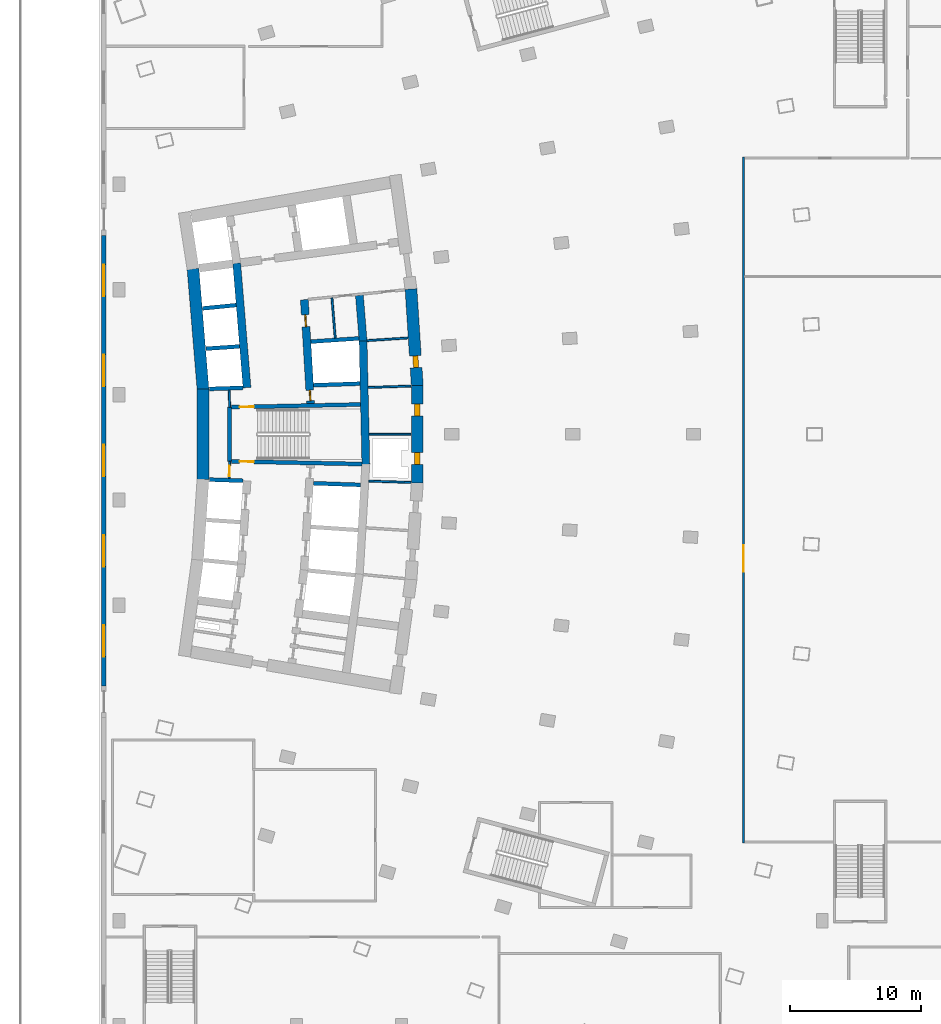
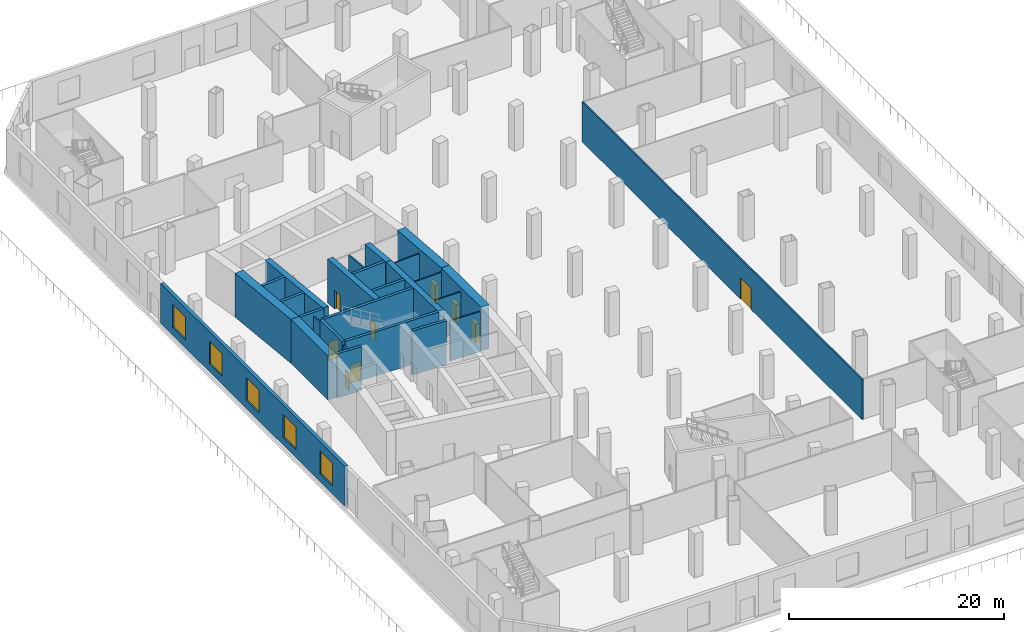
# One storey, part 5 of 15: 27 walls, 9 doors, 5 windows, 14 openings.
"""IFC4 building model written with IfcOpenShell, lengths in metres."""

from ifc_helpers import new_model, si_unit, direction, frame, frame_2d, origin, place, context, subcontext, project, spatial, rectangle, extrude, material, layer, layer_set, type_object, element, fill, save


model = new_model("IFC4")

# Units and contexts
model_context = context("Model", 3, precision=1e-05, world=origin(), true_north=direction((0.0, 1.0)))
body_context = subcontext(model_context, "Body", "Model", "MODEL_VIEW")
ifc_project = project(units=[si_unit("LENGTHUNIT", "METRE"), si_unit("AREAUNIT", "SQUARE_METRE"), si_unit("VOLUMEUNIT", "CUBIC_METRE"), si_unit("PLANEANGLEUNIT", "RADIAN"), si_unit("MASSUNIT", "GRAM", prefix="KILO")], contexts=[model_context])

# Site, building, storey
site_placement = place(None, origin())
site = spatial("IfcSite", under=ifc_project, at=site_placement, CompositionType="ELEMENT")
building_placement = place(site_placement, origin())
building = spatial("IfcBuilding", under=site, at=building_placement, Name="Alderwake Tower", CompositionType="ELEMENT")
storey_placement = place(building_placement, frame((0.0, 0.0, 13.5)))
storey = spatial("IfcBuildingStorey", under=building, at=storey_placement, Name="L02", CompositionType="ELEMENT", Elevation=13.5)

# Wall, opening, door
ifc_material_1 = material(Name="Gypsum shaft wall system, rated")
ifc_layer_1 = layer(ifc_material_1, 0.14990234375)
ifc_layer_set_1 = layer_set([ifc_layer_1], Name="Core room partition 150")
wall_type_1 = type_object("IfcWallType", Name="Core room partition 150", PredefinedType="PARTITIONING", material=ifc_layer_set_1)
wall_1_placement = place(storey_placement, frame((18.918701171875, 58.94384765625, 0.0), z_axis=(0.0, 0.0, 1.0), x_axis=(-0.027348257573, -0.999625966453, 0.0)))
wall_1 = element("IfcWall", 1, at=wall_1_placement, inside=storey, type_object=wall_type_1, Name="CW/L02/PA+24_-37", PredefinedType="PARTITIONING", context=body_context, shape_type="SweptSolid", body=[
    extrude(rectangle(XDim=1.29443359375, YDim=0.14990234375, at=frame_2d((0.647216796875, 0.0))), origin(), (0.0, 0.0, 1.0), 4.550048828125),
])
opening_1_placement = place(wall_1_placement, frame((0.322998046875, 0.0, 0.0)))
opening_1 = element("IfcOpeningElement", 2, at=opening_1_placement, cuts=wall_1, Name="Opening C004", PredefinedType="OPENING", context=body_context, shape_type="SweptSolid", body=[
    extrude(rectangle(XDim=0.800048828125, YDim=2.0, at=frame_2d((0.39990234375, 1.0))), frame((0.0, 0.0849609375, 0.0), z_axis=(0.0, -1.0, 0.0), x_axis=(1.0, 0.0, 0.0)), (0.0, 0.0, 1.0), 0.169921875),
])
ifc_material_2 = material(Name="Painted steel leaf, rated", Category="steel")
door_type_1 = type_object("IfcDoorType", Name="Riser access door 800", OperationType="SINGLE_SWING_LEFT", PredefinedType="DOOR", material=ifc_material_2)
door_1_placement = place(opening_1_placement, origin())
door_1 = element("IfcDoor", 3, at=door_1_placement, inside=storey, type_object=door_type_1, Name="Riser access door", OperationType="SINGLE_SWING_RIGHT", OverallHeight=2.0, OverallWidth=0.800048828125, PredefinedType="DOOR", context=body_context, shape_type="SweptSolid", body=[
    extrude(rectangle(XDim=0.800048828125, YDim=2.0, at=frame_2d((0.39990234375, 1.0))), frame((0.0, 0.02490234375, 0.0), z_axis=(0.0, -1.0, 0.0), x_axis=(1.0, 0.0, 0.0)), (0.0, 0.0, 1.0), 0.050048828125),
])
fill(opening_1, door_1)

# Walls
wall_2_placement = place(storey_placement, frame((18.918701171875, 63.05517578125, 0.0), z_axis=(0.0, 0.0, 1.0), x_axis=(-0.027327648352, 0.999626530078, 0.0)))
element("IfcWall", 4, at=wall_2_placement, inside=storey, type_object=wall_type_1, Name="CW/L02/PA+24_+22", PredefinedType="PARTITIONING", context=body_context, shape_type="SweptSolid", body=[
    extrude(rectangle(XDim=1.29541015625, YDim=0.14990234375, at=frame_2d((0.647705078125, 0.0))), origin(), (0.0, 0.0, 1.0), 4.550048828125),
])
wall_3_placement = place(storey_placement, frame((26.94970703125, 68.3203125, 0.0), z_axis=(0.0, 0.0, 1.0), x_axis=(-0.082463525817, 0.996594083321, 0.0)))
element("IfcWall", 5, at=wall_3_placement, inside=storey, type_object=wall_type_1, Name="CW/L02/PA+107_+70", PredefinedType="PARTITIONING", context=body_context, shape_type="SweptSolid", body=[
    extrude(rectangle(XDim=3.055419921875, YDim=0.14990234375, at=frame_2d((1.52783203125, 0.0))), origin(), (0.0, 0.0, 1.0), 4.550048828125),
])
wall_4_placement = place(storey_placement, frame((29.50048828125, 57.4384765625, 0.0), z_axis=(0.0, 0.0, 1.0), x_axis=(0.999470508275, -0.032537717924, 0.0)))
element("IfcWall", 6, at=wall_4_placement, inside=storey, type_object=wall_type_1, Name="CW/L02/PR-34_+128", PredefinedType="PARTITIONING", context=body_context, shape_type="SweptSolid", body=[
    extrude(rectangle(XDim=3.21142578125, YDim=0.14990234375, at=frame_2d((1.605712890625, 0.0))), origin(), (0.0, 0.0, 1.0), 4.550048828125),
])
wall_5_placement = place(storey_placement, frame((29.526123046875, 61.0, 0.0), z_axis=(0.0, 0.0, 1.0), x_axis=(1.0, 0.0, 0.0)))
element("IfcWall", 7, at=wall_5_placement, inside=storey, type_object=wall_type_1, Name="CW/L02/PR+0_+128", PredefinedType="PARTITIONING", context=body_context, shape_type="SweptSolid", body=[
    extrude(rectangle(XDim=3.18408203125, YDim=0.14990234375, at=frame_2d((1.592041015625, 0.0))), origin(), (0.0, 0.0, 1.0), 4.550048828125),
])
wall_6_placement = place(storey_placement, frame((29.447509765625, 64.559814453125, 0.0), z_axis=(0.0, 0.0, 1.0), x_axis=(0.999470664956, 0.032532904763, 0.0)))
element("IfcWall", 8, at=wall_6_placement, inside=storey, type_object=wall_type_1, Name="CW/L02/PR+34_+128", PredefinedType="PARTITIONING", context=body_context, shape_type="SweptSolid", body=[
    extrude(rectangle(XDim=3.264404296875, YDim=0.14990234375, at=frame_2d((1.63232421875, 0.0))), origin(), (0.0, 0.0, 1.0), 4.550048828125),
])
wall_7_placement = place(storey_placement, frame((29.36865234375, 68.1220703125, 0.0), z_axis=(0.0, 0.0, 1.0), x_axis=(0.997885090452, 0.065002663433, 0.0)))
element("IfcWall", 9, at=wall_7_placement, inside=storey, type_object=wall_type_1, Name="CW/L02/PR+68_+128", PredefinedType="PARTITIONING", context=body_context, shape_type="SweptSolid", body=[
    extrude(rectangle(XDim=3.10986328125, YDim=0.14990234375, at=frame_2d((1.554931640625, 0.0))), origin(), (0.0, 0.0, 1.0), 4.550048828125),
])
ifc_material_3 = material(Name="Concrete C70/85", Category="concrete")
ifc_layer_2 = layer(ifc_material_3, 0.89990234375)
ifc_layer_set_2 = layer_set([ifc_layer_2], Name="Core wall outer 900 C70-85")
wall_type_2 = type_object("IfcWallType", Name="Core wall outer 900 C70-85", PredefinedType="SHEAR", material=ifc_layer_set_2)
wall_8_placement = place(storey_placement, frame((16.889404296875, 57.5546875, 0.0), z_axis=(0.0, 0.0, 1.0), x_axis=(0.0, 1.0, 0.0)))
element("IfcWall", 10, at=wall_8_placement, inside=storey, type_object=wall_type_2, Name="Core wall CW.043", PredefinedType="SHEAR", context=body_context, shape_type="SweptSolid", body=[
    extrude(rectangle(XDim=6.89404296875, YDim=0.89990234375, at=frame_2d((3.447021484375, 0.0))), origin(), (0.0, 0.0, 1.0), 5.0),
])
wall_9_placement = place(storey_placement, frame((16.890869140625, 64.41064453125, 0.0), z_axis=(0.0, 0.0, 1.0), x_axis=(-0.082624275373, 0.996580768989, 0.0)))
element("IfcWall", 11, at=wall_9_placement, inside=storey, type_object=wall_type_2, Name="Core wall CW.040", PredefinedType="SHEAR", context=body_context, shape_type="SweptSolid", body=[
    extrude(rectangle(XDim=9.210205078125, YDim=0.89990234375, at=frame_2d((4.60498046875, 0.0))), origin(), (0.0, 0.0, 1.0), 5.0),
])

# Wall, openings, doors
wall_10_placement = place(storey_placement, frame((33.190185546875, 64.69677734375, 0.0), z_axis=(0.0, 0.0, 1.0), x_axis=(0.0, -1.0, 0.0)))
wall_10 = element("IfcWall", 12, at=wall_10_placement, inside=storey, type_object=wall_type_2, Name="Core wall CW.013", PredefinedType="SHEAR", context=body_context, shape_type="SweptSolid", body=[
    extrude(rectangle(XDim=7.3935546875, YDim=0.89990234375, at=frame_2d((3.69677734375, 0.0))), origin(), (0.0, 0.0, 1.0), 5.0),
])
opening_2_placement = place(wall_10_placement, frame((5.087646484375, 0.0, 0.0)))
opening_2 = element("IfcOpeningElement", 13, at=opening_2_placement, cuts=wall_10, Name="Opening C031", PredefinedType="OPENING", context=body_context, shape_type="SweptSolid", body=[
    extrude(rectangle(XDim=0.89990234375, YDim=2.10009765625, at=frame_2d((0.449951171875, 1.050048828125))), frame((0.0, 0.4599609375, 0.0), z_axis=(0.0, -1.0, 0.0), x_axis=(1.0, 0.0, 0.0)), (0.0, 0.0, 1.0), 0.919921875),
])
opening_3_placement = place(wall_10_placement, frame((1.405517578125, 0.0, 0.0)))
opening_3 = element("IfcOpeningElement", 14, at=opening_3_placement, cuts=wall_10, Name="Opening C034", PredefinedType="OPENING", context=body_context, shape_type="SweptSolid", body=[
    extrude(rectangle(XDim=0.89990234375, YDim=2.10009765625, at=frame_2d((0.449951171875, 1.050048828125))), frame((0.0, 0.4599609375, 0.0), z_axis=(0.0, -1.0, 0.0), x_axis=(1.0, 0.0, 0.0)), (0.0, 0.0, 1.0), 0.919921875),
])
ifc_material_4 = material(Name="Painted steel leaf", Category="steel")
door_type_2 = type_object("IfcDoorType", Name="Core room door 900", OperationType="SINGLE_SWING_LEFT", PredefinedType="DOOR", material=ifc_material_4)
door_2_placement = place(opening_2_placement, origin())
door_2 = element("IfcDoor", 15, at=door_2_placement, inside=storey, type_object=door_type_2, Name="Room door", OperationType="SINGLE_SWING_RIGHT", OverallHeight=2.10009765625, OverallWidth=0.89990234375, PredefinedType="DOOR", context=body_context, shape_type="SweptSolid", body=[
    extrude(rectangle(XDim=0.89990234375, YDim=2.10009765625, at=frame_2d((0.449951171875, 1.050048828125))), frame((0.0, 0.199951171875, 0.0), z_axis=(0.0, -1.0, 0.0), x_axis=(1.0, 0.0, 0.0)), (0.0, 0.0, 1.0), 0.39990234375),
])
fill(opening_2, door_2)
door_3_placement = place(opening_3_placement, origin())
door_3 = element("IfcDoor", 16, at=door_3_placement, inside=storey, type_object=door_type_2, Name="Room door", OperationType="SINGLE_SWING_LEFT", OverallHeight=2.10009765625, OverallWidth=0.89990234375, PredefinedType="DOOR", context=body_context, shape_type="SweptSolid", body=[
    extrude(rectangle(XDim=0.89990234375, YDim=2.10009765625, at=frame_2d((0.449951171875, 1.050048828125))), frame((0.0, 0.199951171875, 0.0), z_axis=(0.0, -1.0, 0.0), x_axis=(1.0, 0.0, 0.0)), (0.0, 0.0, 1.0), 0.39990234375),
])
fill(opening_3, door_3)

# Wall, opening, door
wall_11_placement = place(storey_placement, frame((32.710693359375, 72.04541015625, 0.0), z_axis=(0.0, 0.0, 1.0), x_axis=(0.064976219143, -0.997886812693, 0.0)))
wall_11 = element("IfcWall", 17, at=wall_11_placement, inside=storey, type_object=wall_type_2, Name="Core wall CW.010", PredefinedType="SHEAR", context=body_context, shape_type="SweptSolid", body=[
    extrude(rectangle(XDim=7.39453125, YDim=0.89990234375, at=frame_2d((3.697265625, 0.0))), origin(), (0.0, 0.0, 1.0), 5.0),
])
opening_4_placement = place(wall_11_placement, frame((5.089111328125, 0.0, 0.0)))
opening_4 = element("IfcOpeningElement", 18, at=opening_4_placement, cuts=wall_11, Name="Opening C035", PredefinedType="OPENING", context=body_context, shape_type="SweptSolid", body=[
    extrude(rectangle(XDim=0.89990234375, YDim=2.10009765625, at=frame_2d((0.449951171875, 1.050048828125))), frame((0.0, 0.4599609375, 0.0), z_axis=(0.0, -1.0, 0.0), x_axis=(1.0, 0.0, 0.0)), (0.0, 0.0, 1.0), 0.919921875),
])
door_4_placement = place(opening_4_placement, origin())
door_4 = element("IfcDoor", 19, at=door_4_placement, inside=storey, type_object=door_type_2, Name="Room door", OperationType="SINGLE_SWING_RIGHT", OverallHeight=2.10009765625, OverallWidth=0.89990234375, PredefinedType="DOOR", context=body_context, shape_type="SweptSolid", body=[
    extrude(rectangle(XDim=0.89990234375, YDim=2.10009765625, at=frame_2d((0.449951171875, 1.050048828125))), frame((0.0, 0.199951171875, 0.0), z_axis=(0.0, -1.0, 0.0), x_axis=(1.0, 0.0, 0.0)), (0.0, 0.0, 1.0), 0.39990234375),
])
fill(opening_4, door_4)

# Walls
ifc_material_5 = material(Name="Concrete C70/85", Category="concrete")
ifc_layer_3 = layer(ifc_material_5, 0.300048828125)
ifc_layer_set_3 = layer_set([ifc_layer_3], Name="Core wall shaft 300 C70-85")
wall_type_3 = type_object("IfcWallType", Name="Core wall shaft 300 C70-85", PredefinedType="SHEAR", material=ifc_layer_set_3)
wall_12_placement = place(storey_placement, frame((17.369140625, 57.553466796875, 0.0), z_axis=(0.0, 0.0, 1.0), x_axis=(0.99937189907, -0.035437372217, 0.0)))
element("IfcWall", 20, at=wall_12_placement, inside=storey, type_object=wall_type_3, Name="Core wall CW.076", PredefinedType="SHEAR", context=body_context, shape_type="SweptSolid", body=[
    extrude(rectangle(XDim=2.56982421875, YDim=0.300048828125, at=frame_2d((1.284912109375, 0.0))), origin(), (0.0, 0.0, 1.0), 5.0),
])
wall_13_placement = place(storey_placement, frame((25.29052734375, 57.27294921875, 0.0), z_axis=(0.0, 0.0, 1.0), x_axis=(0.99937585491, -0.035325636908, 0.0)))
element("IfcWall", 21, at=wall_13_placement, inside=storey, type_object=wall_type_3, Name="Core wall CW.077", PredefinedType="SHEAR", context=body_context, shape_type="SweptSolid", body=[
    extrude(rectangle(XDim=3.59375, YDim=0.300048828125, at=frame_2d((1.796875, 0.0))), origin(), (0.0, 0.0, 1.0), 5.0),
])
wall_14_placement = place(storey_placement, frame((17.369384765625, 64.446533203125, 0.0), z_axis=(0.0, 0.0, 1.0), x_axis=(0.999371660382, 0.035444102817, 0.0)))
element("IfcWall", 22, at=wall_14_placement, inside=storey, type_object=wall_type_3, Name="Core wall CW.059", PredefinedType="SHEAR", context=body_context, shape_type="SweptSolid", body=[
    extrude(rectangle(XDim=2.5693359375, YDim=0.300048828125, at=frame_2d((1.28466796875, 0.0))), origin(), (0.0, 0.0, 1.0), 5.0),
])
wall_15_placement = place(storey_placement, frame((25.291259765625, 64.72705078125, 0.0), z_axis=(0.0, 0.0, 1.0), x_axis=(0.999373231824, 0.035399767136, 0.0)))
element("IfcWall", 23, at=wall_15_placement, inside=storey, type_object=wall_type_3, Name="Core wall CW.060", PredefinedType="SHEAR", context=body_context, shape_type="SweptSolid", body=[
    extrude(rectangle(XDim=3.5517578125, YDim=0.300048828125, at=frame_2d((1.77587890625, 0.0))), origin(), (0.0, 0.0, 1.0), 5.0),
])
wall_16_placement = place(storey_placement, frame((17.115478515625, 67.510498046875, 0.0), z_axis=(0.0, 0.0, 1.0), x_axis=(0.99775517309, 0.06696726493, 0.0)))
element("IfcWall", 24, at=wall_16_placement, inside=storey, type_object=wall_type_3, Name="Core wall CW.062", PredefinedType="SHEAR", context=body_context, shape_type="SweptSolid", body=[
    extrude(rectangle(XDim=2.566650390625, YDim=0.300048828125, at=frame_2d((1.283203125, 0.0))), origin(), (0.0, 0.0, 1.0), 5.0),
])
wall_17_placement = place(storey_placement, frame((25.09228515625, 68.04541015625, 0.0), z_axis=(0.0, 0.0, 1.0), x_axis=(0.997760946222, 0.066881194621, 0.0)))
element("IfcWall", 25, at=wall_17_placement, inside=storey, type_object=wall_type_3, Name="Core wall CW.063", PredefinedType="SHEAR", context=body_context, shape_type="SweptSolid", body=[
    extrude(rectangle(XDim=3.668701171875, YDim=0.300048828125, at=frame_2d((1.83447265625, 0.0))), origin(), (0.0, 0.0, 1.0), 5.0),
])
wall_18_placement = place(storey_placement, frame((16.86181640625, 70.571533203125, 0.0), z_axis=(0.0, 0.0, 1.0), x_axis=(0.995151424955, 0.098354671516, 0.0)))
element("IfcWall", 26, at=wall_18_placement, inside=storey, type_object=wall_type_3, Name="Core wall CW.050", PredefinedType="SHEAR", context=body_context, shape_type="SweptSolid", body=[
    extrude(rectangle(XDim=2.566650390625, YDim=0.300048828125, at=frame_2d((1.283203125, 0.0))), origin(), (0.0, 0.0, 1.0), 5.0),
])
ifc_material_6 = material(Name="Concrete C70/85", Category="concrete")
ifc_layer_4 = layer(ifc_material_6, 0.60009765625)
ifc_layer_set_4 = layer_set([ifc_layer_4], Name="Core wall spine 600 C70-85")
wall_type_4 = type_object("IfcWallType", Name="Core wall spine 600 C70-85", PredefinedType="SHEAR", material=ifc_layer_set_4)
wall_19_placement = place(storey_placement, frame((20.2373046875, 64.548095703125, 0.0), z_axis=(0.0, 0.0, 1.0), x_axis=(-0.082626598613, 0.996580576372, 0.0)))
element("IfcWall", 27, at=wall_19_placement, inside=storey, type_object=wall_type_4, Name="Core wall CW.031", PredefinedType="SHEAR", context=body_context, shape_type="SweptSolid", body=[
    extrude(rectangle(XDim=9.50244140625, YDim=0.60009765625, at=frame_2d((4.751220703125, 0.0))), origin(), (0.0, 0.0, 1.0), 5.0),
])

# Wall, openings, doors
wall_20_placement = place(storey_placement, frame((25.073974609375, 63.335693359375, 0.0), z_axis=(0.0, 0.0, 1.0), x_axis=(-0.059848641072, 0.998207463487, 0.0)))
wall_20 = element("IfcWall", 28, at=wall_20_placement, inside=storey, type_object=wall_type_4, Name="Core wall CW.045", PredefinedType="SHEAR", context=body_context, shape_type="SweptSolid", body=[
    extrude(rectangle(XDim=7.913818359375, YDim=0.60009765625, at=frame_2d((3.95703125, 0.0))), origin(), (0.0, 0.0, 1.0), 5.0),
])
opening_5_placement = place(wall_20_placement, frame((0.216064453125, 0.0, 0.0)))
opening_5 = element("IfcOpeningElement", 29, at=opening_5_placement, cuts=wall_20, Name="Opening C005", PredefinedType="OPENING", context=body_context, shape_type="SweptSolid", body=[
    extrude(rectangle(XDim=0.800048828125, YDim=2.0, at=frame_2d((0.39990234375, 1.0))), frame((0.0, 0.31005859375, 0.0), z_axis=(0.0, -1.0, 0.0), x_axis=(1.0, 0.0, 0.0)), (0.0, 0.0, 1.0), 0.6201171875),
])
opening_6_placement = place(wall_20_placement, frame((5.856201171875, 0.0, 0.0)))
opening_6 = element("IfcOpeningElement", 30, at=opening_6_placement, cuts=wall_20, Name="Opening C024", PredefinedType="OPENING", context=body_context, shape_type="SweptSolid", body=[
    extrude(rectangle(XDim=0.89990234375, YDim=2.10009765625, at=frame_2d((0.449951171875, 1.050048828125))), frame((0.0, 0.31005859375, 0.0), z_axis=(0.0, -1.0, 0.0), x_axis=(1.0, 0.0, 0.0)), (0.0, 0.0, 1.0), 0.6201171875),
])
door_5_placement = place(opening_6_placement, origin())
door_5 = element("IfcDoor", 31, at=door_5_placement, inside=storey, type_object=door_type_2, Name="Room door", OperationType="SINGLE_SWING_LEFT", OverallHeight=2.10009765625, OverallWidth=0.89990234375, PredefinedType="DOOR", context=body_context, shape_type="SweptSolid", body=[
    extrude(rectangle(XDim=0.89990234375, YDim=2.10009765625, at=frame_2d((0.449951171875, 1.050048828125))), frame((0.0, 0.050048828125, 0.0), z_axis=(0.0, -1.0, 0.0), x_axis=(1.0, 0.0, 0.0)), (0.0, 0.0, 1.0), 0.10009765625),
])
fill(opening_6, door_5)
door_6_placement = place(opening_5_placement, origin())
door_6 = element("IfcDoor", 32, at=door_6_placement, inside=storey, type_object=door_type_1, Name="Riser access door", OperationType="SINGLE_SWING_LEFT", OverallHeight=2.0, OverallWidth=0.800048828125, PredefinedType="DOOR", context=body_context, shape_type="SweptSolid", body=[
    extrude(rectangle(XDim=0.800048828125, YDim=2.0, at=frame_2d((0.39990234375, 1.0))), frame((0.0, 0.050048828125, 0.0), z_axis=(0.0, -1.0, 0.0), x_axis=(1.0, 0.0, 0.0)), (0.0, 0.0, 1.0), 0.10009765625),
])
fill(opening_5, door_6)

# Walls
wall_21_placement = place(storey_placement, frame((29.276611328125, 58.714111328125, 0.0), z_axis=(0.0, 0.0, 1.0), x_axis=(-0.022102514973, 0.999755709577, 0.0)))
element("IfcWall", 33, at=wall_21_placement, inside=storey, type_object=wall_type_4, Name="Core wall CW.007", PredefinedType="SHEAR", context=body_context, shape_type="SweptSolid", body=[
    extrude(rectangle(XDim=9.39990234375, YDim=0.60009765625, at=frame_2d((4.699951171875, 0.0))), origin(), (0.0, 0.0, 1.0), 5.0),
])
wall_22_placement = place(storey_placement, frame((29.069580078125, 68.09326171875, 0.0), z_axis=(0.0, 0.0, 1.0), x_axis=(-0.080849700234, 0.996726304445, 0.0)))
element("IfcWall", 34, at=wall_22_placement, inside=storey, type_object=wall_type_4, Name="Core wall CW.003", PredefinedType="SHEAR", context=body_context, shape_type="SweptSolid", body=[
    extrude(rectangle(XDim=3.48779296875, YDim=0.60009765625, at=frame_2d((1.743896484375, 0.0))), origin(), (0.0, 0.0, 1.0), 5.0),
])
ifc_material_7 = material(Name="Concrete C70/85", Category="concrete")
ifc_layer_5 = layer(ifc_material_7, 0.300048828125)
ifc_layer_set_5 = layer_set([ifc_layer_5], Name="Core wall stair enclosure 300 C70-85")
wall_type_5 = type_object("IfcWallType", Name="Core wall stair enclosure 300 C70-85", PredefinedType="SHEAR", material=ifc_layer_set_5)
wall_23_placement = place(storey_placement, frame((18.918701171875, 58.94091796875, 0.0), z_axis=(0.0, 0.0, 1.0), x_axis=(0.0, 1.0, 0.0)))
element("IfcWall", 35, at=wall_23_placement, inside=storey, type_object=wall_type_5, Name="Core wall CW.024", PredefinedType="SHEAR", context=body_context, shape_type="SweptSolid", body=[
    extrude(rectangle(XDim=4.119384765625, YDim=0.300048828125, at=frame_2d((2.0595703125, 0.0))), origin(), (0.0, 0.0, 1.0), 5.0),
])

# Wall, opening, door
wall_24_placement = place(storey_placement, frame((28.976318359375, 58.733154296875, 0.0), z_axis=(0.0, 0.0, 1.0), x_axis=(-0.999783804252, 0.020792901552, 0.0)))
wall_24 = element("IfcWall", 36, at=wall_24_placement, inside=storey, type_object=wall_type_5, Name="Core wall CW.074", PredefinedType="SHEAR", context=body_context, shape_type="SweptSolid", body=[
    extrude(rectangle(XDim=9.909912109375, YDim=0.300048828125, at=frame_2d((4.955078125, 0.0))), origin(), (0.0, 0.0, 1.0), 5.0),
])
opening_7_placement = place(wall_24_placement, frame((8.209716796875, 0.0, 0.0)))
opening_7 = element("IfcOpeningElement", 37, at=opening_7_placement, cuts=wall_24, Name="Opening C063", PredefinedType="OPENING", context=body_context, shape_type="SweptSolid", body=[
    extrude(rectangle(XDim=1.10009765625, YDim=2.10009765625, at=frame_2d((0.550048828125, 1.050048828125))), frame((0.0, 0.159912109375, 0.0), z_axis=(0.0, -1.0, 0.0), x_axis=(1.0, 0.0, 0.0)), (0.0, 0.0, 1.0), 0.320068359375),
])
ifc_material_8 = material(Name="Steel-framed fire door leaf", Category="steel")
door_type_3 = type_object("IfcDoorType", Name="Core stair door 1100 fire-rated", OperationType="SINGLE_SWING_LEFT", PredefinedType="DOOR", material=ifc_material_8)
door_7_placement = place(opening_7_placement, origin())
door_7 = element("IfcDoor", 38, at=door_7_placement, inside=storey, type_object=door_type_3, Name="Stair door", OperationType="SINGLE_SWING_LEFT", OverallHeight=2.10009765625, OverallWidth=1.10009765625, PredefinedType="DOOR", context=body_context, shape_type="SweptSolid", body=[
    extrude(rectangle(XDim=1.10009765625, YDim=2.10009765625, at=frame_2d((0.550048828125, 1.050048828125))), frame((0.0, 0.02490234375, 0.0), z_axis=(0.0, -1.0, 0.0), x_axis=(1.0, 0.0, 0.0)), (0.0, 0.0, 1.0), 0.050048828125),
])
fill(opening_7, door_7)

wall_25_placement = place(storey_placement, frame((19.068603515625, 63.060791015625, 0.0), z_axis=(0.0, 0.0, 1.0), x_axis=(0.999783520771, 0.020806527678, 0.0)))
wall_25 = element("IfcWall", 39, at=wall_25_placement, inside=storey, type_object=wall_type_5, Name="Core wall CW.057", PredefinedType="SHEAR", context=body_context, shape_type="SweptSolid", body=[
    extrude(rectangle(XDim=9.8095703125, YDim=0.300048828125, at=frame_2d((4.90478515625, 0.0))), origin(), (0.0, 0.0, 1.0), 5.0),
])
opening_8_placement = place(wall_25_placement, frame((0.60009765625, 0.0, 0.0)))
opening_8 = element("IfcOpeningElement", 40, at=opening_8_placement, cuts=wall_25, Name="Opening C064", PredefinedType="OPENING", context=body_context, shape_type="SweptSolid", body=[
    extrude(rectangle(XDim=1.10009765625, YDim=2.10009765625, at=frame_2d((0.550048828125, 1.050048828125))), frame((0.0, 0.159912109375, 0.0), z_axis=(0.0, -1.0, 0.0), x_axis=(1.0, 0.0, 0.0)), (0.0, 0.0, 1.0), 0.320068359375),
])
door_8_placement = place(opening_8_placement, origin())
door_8 = element("IfcDoor", 41, at=door_8_placement, inside=storey, type_object=door_type_3, Name="Stair door", OperationType="SINGLE_SWING_RIGHT", OverallHeight=2.10009765625, OverallWidth=1.10009765625, PredefinedType="DOOR", context=body_context, shape_type="SweptSolid", body=[
    extrude(rectangle(XDim=1.10009765625, YDim=2.10009765625, at=frame_2d((0.550048828125, 1.050048828125))), frame((0.0, 0.02490234375, 0.0), z_axis=(0.0, -1.0, 0.0), x_axis=(1.0, 0.0, 0.0)), (0.0, 0.0, 1.0), 0.050048828125),
])
fill(opening_8, door_8)

ifc_material_9 = material(Name="Gypsum board on metal studs, rated")
ifc_layer_6 = layer(ifc_material_9, 0.159912109375)
ifc_layer_set_6 = layer_set([ifc_layer_6], Name="Corridor wall 160")
wall_type_6 = type_object("IfcWallType", Name="Corridor wall 160", PredefinedType="PARTITIONING", material=ifc_layer_set_6)
wall_26_placement = place(storey_placement, frame((57.9990234375, 29.919921875, 0.0), z_axis=(0.0, 0.0, 1.0), x_axis=(0.0, 1.0, 0.0)))
wall_26 = element("IfcWall", 42, at=wall_26_placement, inside=storey, type_object=wall_type_6, Name="WL/L02/W49", PredefinedType="PARTITIONING", context=body_context, shape_type="SweptSolid", body=[
    extrude(rectangle(XDim=52.1591796875, YDim=0.159912109375, at=frame_2d((26.07958984375, 0.0))), origin(), (0.0, 0.0, 1.0), 4.550048828125),
])
opening_9_placement = place(wall_26_placement, frame((20.6298828125, 0.0, 0.0)))
opening_9 = element("IfcOpeningElement", 43, at=opening_9_placement, cuts=wall_26, Name="Opening L02-01", PredefinedType="OPENING", context=body_context, shape_type="SweptSolid", body=[
    extrude(rectangle(XDim=2.0, YDim=2.39990234375, at=frame_2d((1.0, 1.199951171875))), frame((0.0, 0.08984375, 0.0), z_axis=(0.0, -1.0, 0.0), x_axis=(1.0, 0.0, 0.0)), (0.0, 0.0, 1.0), 0.179931640625),
])
ifc_material_10 = material(Name="Timber leaves with glazed panels", Category="wood")
door_type_4 = type_object("IfcDoorType", Name="Hall double door 2000", OperationType="DOUBLE_DOOR_SINGLE_SWING", PredefinedType="DOOR", material=ifc_material_10)
door_9_placement = place(opening_9_placement, origin())
door_9 = element("IfcDoor", 44, at=door_9_placement, inside=storey, type_object=door_type_4, Name="DR/L02/01", OperationType="DOUBLE_DOOR_SINGLE_SWING", OverallHeight=2.39990234375, OverallWidth=2.0, PredefinedType="DOOR", context=body_context, shape_type="SweptSolid", body=[
    extrude(rectangle(XDim=2.0, YDim=2.39990234375, at=frame_2d((1.0, 1.199951171875))), frame((0.0, 0.02490234375, 0.0), z_axis=(0.0, -1.0, 0.0), x_axis=(1.0, 0.0, 0.0)), (0.0, 0.0, 1.0), 0.050048828125),
])
fill(opening_9, door_9)

# Wall, openings, windows
ifc_material_11 = material(Name="Precast concrete C50/60 spandrel panel", Category="concrete")
ifc_layer_7 = layer(ifc_material_11, 0.35009765625)
ifc_layer_set_7 = layer_set([ifc_layer_7], Name="External wall EW4 Precast concrete C50/60 podium")
wall_type_7 = type_object("IfcWallType", Name="External wall EW4 Precast concrete C50/60 podium", PredefinedType="SOLIDWALL", material=ifc_layer_set_7)
wall_27_placement = place(storey_placement, frame((9.35009765625, 76.137451171875, 0.0), z_axis=(0.0, 0.0, 1.0), x_axis=(0.0, -1.0, 0.0)))
wall_27 = element("IfcWall", 45, at=wall_27_placement, inside=storey, type_object=wall_type_7, Name="External wall 29", PredefinedType="SOLIDWALL", context=body_context, shape_type="SweptSolid", body=[
    extrude(rectangle(XDim=34.2900390625, YDim=0.35009765625, at=frame_2d((17.14501953125, 0.0))), origin(), (0.0, 0.0, 1.0), 4.550048828125),
])
opening_10_placement = place(wall_27_placement, frame((2.22900390625, 0.0, 0.89990234375)))
opening_10 = element("IfcOpeningElement", 46, at=opening_10_placement, cuts=wall_27, Name="Opening W6", PredefinedType="OPENING", context=body_context, shape_type="SweptSolid", body=[
    extrude(rectangle(XDim=2.39990234375, YDim=2.60009765625, at=frame_2d((1.199951171875, 1.300048828125))), frame((0.0, 0.18505859375, 0.0), z_axis=(0.0, -1.0, 0.0), x_axis=(1.0, 0.0, 0.0)), (0.0, 0.0, 1.0), 0.3701171875),
])
opening_11_placement = place(wall_27_placement, frame((9.0869140625, 0.0, 0.89990234375)))
opening_11 = element("IfcOpeningElement", 47, at=opening_11_placement, cuts=wall_27, Name="Opening W6", PredefinedType="OPENING", context=body_context, shape_type="SweptSolid", body=[
    extrude(rectangle(XDim=2.39990234375, YDim=2.60009765625, at=frame_2d((1.199951171875, 1.300048828125))), frame((0.0, 0.18505859375, 0.0), z_axis=(0.0, -1.0, 0.0), x_axis=(1.0, 0.0, 0.0)), (0.0, 0.0, 1.0), 0.3701171875),
])
opening_12_placement = place(wall_27_placement, frame((15.945068359375, 0.0, 0.89990234375)))
opening_12 = element("IfcOpeningElement", 48, at=opening_12_placement, cuts=wall_27, Name="Opening W6", PredefinedType="OPENING", context=body_context, shape_type="SweptSolid", body=[
    extrude(rectangle(XDim=2.39990234375, YDim=2.60009765625, at=frame_2d((1.199951171875, 1.300048828125))), frame((0.0, 0.18505859375, 0.0), z_axis=(0.0, -1.0, 0.0), x_axis=(1.0, 0.0, 0.0)), (0.0, 0.0, 1.0), 0.3701171875),
])
opening_13_placement = place(wall_27_placement, frame((22.802978515625, 0.0, 0.89990234375)))
opening_13 = element("IfcOpeningElement", 49, at=opening_13_placement, cuts=wall_27, Name="Opening W6", PredefinedType="OPENING", context=body_context, shape_type="SweptSolid", body=[
    extrude(rectangle(XDim=2.39990234375, YDim=2.60009765625, at=frame_2d((1.199951171875, 1.300048828125))), frame((0.0, 0.18505859375, 0.0), z_axis=(0.0, -1.0, 0.0), x_axis=(1.0, 0.0, 0.0)), (0.0, 0.0, 1.0), 0.3701171875),
])
opening_14_placement = place(wall_27_placement, frame((29.660888671875, 0.0, 0.89990234375)))
opening_14 = element("IfcOpeningElement", 50, at=opening_14_placement, cuts=wall_27, Name="Opening W6", PredefinedType="OPENING", context=body_context, shape_type="SweptSolid", body=[
    extrude(rectangle(XDim=2.39990234375, YDim=2.60009765625, at=frame_2d((1.199951171875, 1.300048828125))), frame((0.0, 0.18505859375, 0.0), z_axis=(0.0, -1.0, 0.0), x_axis=(1.0, 0.0, 0.0)), (0.0, 0.0, 1.0), 0.3701171875),
])
ifc_material_12 = material(Name="Bronze tinted glass in aluminium frame", Category="aluminium")
window_type = type_object("IfcWindowType", Name="Window W6 podium", PartitioningType="DOUBLE_PANEL_VERTICAL", PredefinedType="WINDOW", material=ifc_material_12)
window_1_placement = place(opening_10_placement, origin())
window_1 = element("IfcWindow", 51, at=window_1_placement, inside=storey, type_object=window_type, Name="Window W6 podium", OverallHeight=2.60009765625, OverallWidth=2.39990234375, PartitioningType="DOUBLE_PANEL_VERTICAL", PredefinedType="WINDOW", context=body_context, shape_type="SweptSolid", body=[
    extrude(rectangle(XDim=2.39990234375, YDim=2.60009765625, at=frame_2d((1.199951171875, 1.300048828125))), frame((0.0, 0.030029296875, 0.0), z_axis=(0.0, -1.0, 0.0), x_axis=(1.0, 0.0, 0.0)), (0.0, 0.0, 1.0), 0.06005859375),
])
fill(opening_10, window_1)
window_2_placement = place(opening_11_placement, origin())
window_2 = element("IfcWindow", 52, at=window_2_placement, inside=storey, type_object=window_type, Name="Window W6 podium", OverallHeight=2.60009765625, OverallWidth=2.39990234375, PartitioningType="DOUBLE_PANEL_VERTICAL", PredefinedType="WINDOW", context=body_context, shape_type="SweptSolid", body=[
    extrude(rectangle(XDim=2.39990234375, YDim=2.60009765625, at=frame_2d((1.199951171875, 1.300048828125))), frame((0.0, 0.030029296875, 0.0), z_axis=(0.0, -1.0, 0.0), x_axis=(1.0, 0.0, 0.0)), (0.0, 0.0, 1.0), 0.06005859375),
])
fill(opening_11, window_2)
window_3_placement = place(opening_12_placement, origin())
window_3 = element("IfcWindow", 53, at=window_3_placement, inside=storey, type_object=window_type, Name="Window W6 podium", OverallHeight=2.60009765625, OverallWidth=2.39990234375, PartitioningType="DOUBLE_PANEL_VERTICAL", PredefinedType="WINDOW", context=body_context, shape_type="SweptSolid", body=[
    extrude(rectangle(XDim=2.39990234375, YDim=2.60009765625, at=frame_2d((1.199951171875, 1.300048828125))), frame((0.0, 0.030029296875, 0.0), z_axis=(0.0, -1.0, 0.0), x_axis=(1.0, 0.0, 0.0)), (0.0, 0.0, 1.0), 0.06005859375),
])
fill(opening_12, window_3)
window_4_placement = place(opening_13_placement, origin())
window_4 = element("IfcWindow", 54, at=window_4_placement, inside=storey, type_object=window_type, Name="Window W6 podium", OverallHeight=2.60009765625, OverallWidth=2.39990234375, PartitioningType="DOUBLE_PANEL_VERTICAL", PredefinedType="WINDOW", context=body_context, shape_type="SweptSolid", body=[
    extrude(rectangle(XDim=2.39990234375, YDim=2.60009765625, at=frame_2d((1.199951171875, 1.300048828125))), frame((0.0, 0.030029296875, 0.0), z_axis=(0.0, -1.0, 0.0), x_axis=(1.0, 0.0, 0.0)), (0.0, 0.0, 1.0), 0.06005859375),
])
fill(opening_13, window_4)
window_5_placement = place(opening_14_placement, origin())
window_5 = element("IfcWindow", 55, at=window_5_placement, inside=storey, type_object=window_type, Name="Window W6 podium", OverallHeight=2.60009765625, OverallWidth=2.39990234375, PartitioningType="DOUBLE_PANEL_VERTICAL", PredefinedType="WINDOW", context=body_context, shape_type="SweptSolid", body=[
    extrude(rectangle(XDim=2.39990234375, YDim=2.60009765625, at=frame_2d((1.199951171875, 1.300048828125))), frame((0.0, 0.030029296875, 0.0), z_axis=(0.0, -1.0, 0.0), x_axis=(1.0, 0.0, 0.0)), (0.0, 0.0, 1.0), 0.06005859375),
])
fill(opening_14, window_5)

save(model, "model.ifc")
